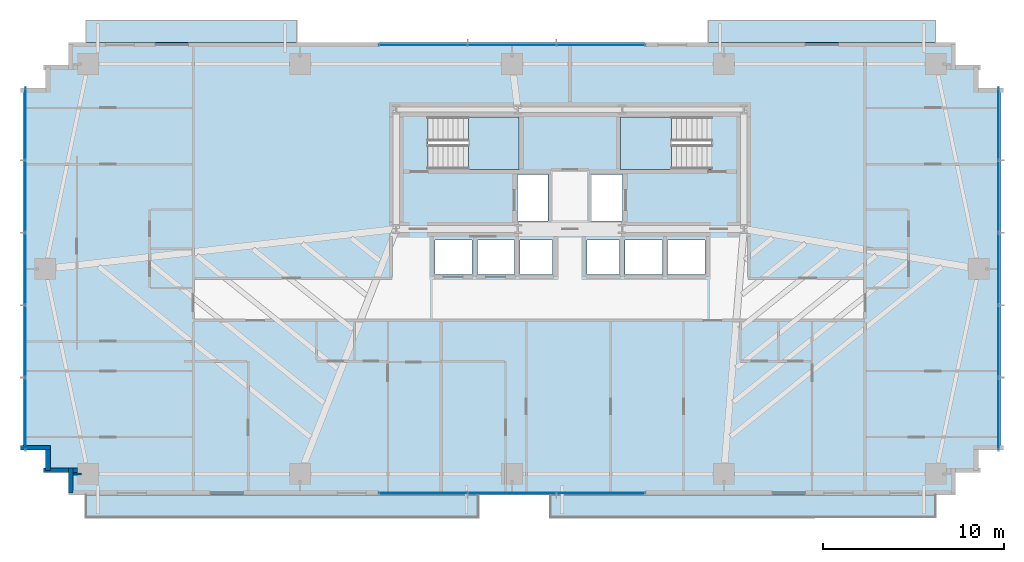
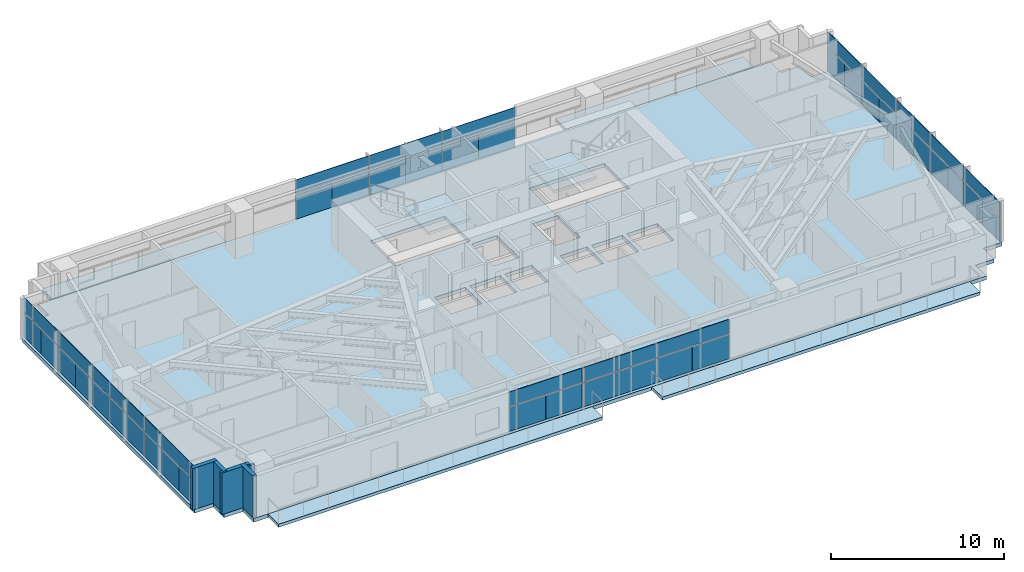
# One storey, part 18 of 25: 48 plates, 7 slabs, 5 walls, 6 elements without a shape of their own.
"""IFC4 building model written with IfcOpenShell, lengths in metres."""

from ifc_helpers import new_model, si_unit, direction, frame, frame_2d, origin, origin_2d, place, context, subcontext, project, spatial, polyline, rectangle, outline, extrude, source, transform, mapped, material, layer, layer_set, type_object, type_shapes, element, aggregate, save


model = new_model("IFC4")

# Units and contexts
model_context = context("Model", 3, precision=1e-05, world=origin(), true_north=direction((0.0, 1.0)))
body_context = subcontext(model_context, "Body", "Model", "MODEL_VIEW")
ifc_project = project(units=[si_unit("LENGTHUNIT", "METRE"), si_unit("AREAUNIT", "SQUARE_METRE"), si_unit("VOLUMEUNIT", "CUBIC_METRE"), si_unit("PLANEANGLEUNIT", "RADIAN"), si_unit("MASSUNIT", "GRAM", prefix="KILO")], contexts=[model_context])

# Site, building, storey
site_placement = place(None, origin())
site = spatial("IfcSite", under=ifc_project, at=site_placement, CompositionType="ELEMENT")
building_placement = place(site_placement, origin())
building = spatial("IfcBuilding", under=site, at=building_placement, Name="Astriad Promenade Condominiums", CompositionType="ELEMENT")
storey_placement = place(building_placement, frame((0.0, 0.0, 26.199951171875)))
storey = spatial("IfcBuildingStorey", under=building, at=storey_placement, Name="L06", CompositionType="ELEMENT", Elevation=26.199951171875)

# Slab
ifc_material_1 = material(Name="Concrete C50/60", Category="concrete")
ifc_layer_1 = layer(ifc_material_1, 0.260009765625)
ifc_layer_set_1 = layer_set([ifc_layer_1], Name="Concrete C50/60")
slab_type_1 = type_object("IfcSlabType", Name="CONCRETE TOWER FLOOR SLAB 260", PredefinedType="FLOOR", material=ifc_layer_set_1)
slab_1_placement = place(storey_placement, frame((0.0, 0.0, -0.260009765625)))
element("IfcSlab", 1, at=slab_1_placement, inside=storey, type_object=slab_type_1, Name="Structural Floor Slab (L06)", PredefinedType="FLOOR", context=body_context, shape_type="SweptSolid", body=[
    extrude(outline(polyline([(8.300048828125, 2.699951171875), (57.300048828125, 2.699951171875), (57.300048828125, 3.949951171875), (58.550048828125, 3.949951171875), (58.550048828125, 5.199951171875), (59.800048828125, 5.199951171875), (59.800048828125, 25.199951171875), (58.550048828125, 25.199951171875), (58.550048828125, 26.449951171875), (57.300048828125, 26.449951171875), (57.300048828125, 27.699951171875), (8.300048828125, 27.699951171875), (8.300048828125, 26.449951171875), (7.050048828125, 26.449951171875), (7.050048828125, 25.199951171875), (5.800048828125, 25.199951171875), (5.800048828125, 5.199951171875), (7.050048828125, 5.199951171875), (7.050048828125, 3.949951171875), (8.300048828125, 3.949951171875), (8.300048828125, 2.699951171875)]), holes=[polyline([(28.175048828125, 20.699951171875), (33.175048828125, 20.699951171875), (33.175048828125, 23.60009765625), (28.175048828125, 23.60009765625), (28.175048828125, 20.699951171875)]), polyline([(38.824951171875, 20.699951171875), (43.824951171875, 20.699951171875), (43.824951171875, 23.60009765625), (38.824951171875, 23.60009765625), (38.824951171875, 20.699951171875)]), polyline([(33.10009765625, 17.85009765625), (34.800048828125, 17.85009765625), (34.800048828125, 20.39990234375), (33.10009765625, 20.39990234375), (33.10009765625, 17.85009765625)]), polyline([(37.199951171875, 17.85009765625), (38.89990234375, 17.85009765625), (38.89990234375, 20.39990234375), (37.199951171875, 20.39990234375), (37.199951171875, 17.85009765625)]), polyline([(28.550048828125, 14.89990234375), (30.60009765625, 14.89990234375), (30.60009765625, 16.800048828125), (28.550048828125, 16.800048828125), (28.550048828125, 14.89990234375)]), polyline([(30.89990234375, 14.89990234375), (32.949951171875, 14.89990234375), (32.949951171875, 16.800048828125), (30.89990234375, 16.800048828125), (30.89990234375, 14.89990234375)]), polyline([(33.25, 14.89990234375), (35.050048828125, 14.89990234375), (35.050048828125, 16.800048828125), (33.25, 16.800048828125), (33.25, 14.89990234375)]), polyline([(36.949951171875, 14.89990234375), (38.75, 14.89990234375), (38.75, 16.800048828125), (36.949951171875, 16.800048828125), (36.949951171875, 14.89990234375)]), polyline([(39.050048828125, 14.89990234375), (41.10009765625, 14.89990234375), (41.10009765625, 16.800048828125), (39.050048828125, 16.800048828125), (39.050048828125, 14.89990234375)]), polyline([(41.39990234375, 14.89990234375), (43.449951171875, 14.89990234375), (43.449951171875, 16.800048828125), (41.39990234375, 16.800048828125), (41.39990234375, 14.89990234375)])]), origin(), (0.0, 0.0, 1.0), 0.260009765625),
])

# Stair, slab
stair_type = type_object("IfcStairType", Name="STR-CORE-1350", PredefinedType="HALF_TURN_STAIR", material=ifc_material_1)
stair_1_placement = place(storey_placement, origin())
stair_1 = element("IfcStair", 2, at=stair_1_placement, inside=storey, type_object=stair_type, Name="L06 Enclosed Core Exit Stair ST-1", PredefinedType="HALF_TURN_STAIR")
ifc_layer_2 = layer(ifc_material_1, 0.219970703125)
ifc_layer_set_2 = layer_set([ifc_layer_2], Name="Concrete C50/60")
slab_type_2 = type_object("IfcSlabType", Name="SLB-LANDING-220", PredefinedType="LANDING", material=ifc_layer_set_2)
slab_2_placement = place(storey_placement, frame((0.0, 0.0, 1.400146484375)))
slab_2 = element("IfcSlab", 3, at=slab_2_placement, type_object=slab_type_2, Name="ST-1 landing 1", PredefinedType="LANDING", context=body_context, shape_type="SweptSolid", body=[
    extrude(outline(polyline([(30.389892578125, 20.699951171875), (33.199951171875, 20.699951171875), (33.199951171875, 23.60009765625), (30.389892578125, 23.60009765625), (30.389892578125, 20.699951171875)])), origin(), (0.0, 0.0, 1.0), 0.199951171875),
])
aggregate(stair_1, [slab_2])

stair_2_placement = place(storey_placement, origin())
stair_2 = element("IfcStair", 4, at=stair_2_placement, inside=storey, type_object=stair_type, Name="L06 Enclosed Core Exit Stair ST-2", PredefinedType="HALF_TURN_STAIR")
slab_3_placement = place(storey_placement, frame((0.0, 0.0, 1.400146484375)))
slab_3 = element("IfcSlab", 5, at=slab_3_placement, type_object=slab_type_2, Name="ST-2 landing 1", PredefinedType="LANDING", context=body_context, shape_type="SweptSolid", body=[
    extrude(outline(polyline([(41.610107421875, 23.60009765625), (38.800048828125, 23.60009765625), (38.800048828125, 20.699951171875), (41.610107421875, 20.699951171875), (41.610107421875, 23.60009765625)])), origin(), (0.0, 0.0, 1.0), 0.199951171875),
])
aggregate(stair_2, [slab_3])

# Slabs
ifc_material_2 = material(Name="Precast concrete C50/60", Category="concrete")
ifc_layer_3 = layer(ifc_material_2, 0.219970703125)
ifc_layer_set_3 = layer_set([ifc_layer_3], Name="Precast concrete C50/60")
slab_type_3 = type_object("IfcSlabType", Name="WHITE PRECAST CONCRETE WAVE BALCONY SLAB 220", PredefinedType="FLOOR", material=ifc_layer_set_3)
slab_4_placement = place(storey_placement, frame((0.0, 0.0, -0.219970703125)))
element("IfcSlab", 6, at=slab_4_placement, inside=storey, type_object=slab_type_3, Name="White Precast Wave Balcony Slab BAL-L06-SW", PredefinedType="FLOOR", context=body_context, shape_type="SweptSolid", body=[
    extrude(outline(polyline([(30.944091796875, 1.47998046875), (9.277099609375, 1.47998046875), (9.277099609375, 2.697998046875), (30.944091796875, 2.697998046875), (30.944091796875, 1.47998046875)])), origin(), (0.0, 0.0, 1.0), 0.219970703125),
])
slab_5_placement = place(storey_placement, frame((0.0, 0.0, -0.219970703125)))
element("IfcSlab", 7, at=slab_5_placement, inside=storey, type_object=slab_type_3, Name="White Precast Wave Balcony Slab BAL-L06-SE", PredefinedType="FLOOR", context=body_context, shape_type="SweptSolid", body=[
    extrude(outline(polyline([(56.18603515625, 1.47998046875), (34.927978515625, 1.47998046875), (34.927978515625, 2.697998046875), (56.18603515625, 2.697998046875), (56.18603515625, 1.47998046875)])), origin(), (0.0, 0.0, 1.0), 0.219970703125),
])
slab_6_placement = place(storey_placement, frame((0.0, 0.0, -0.219970703125)))
element("IfcSlab", 8, at=slab_6_placement, inside=storey, type_object=slab_type_3, Name="White Precast Wave Balcony Slab BAL-L06-NW", PredefinedType="FLOOR", context=body_context, shape_type="SweptSolid", body=[
    extrude(outline(polyline([(9.277099609375, 28.919921875), (20.919921875, 28.919921875), (20.919921875, 27.701904296875), (9.277099609375, 27.701904296875), (9.277099609375, 28.919921875)])), origin(), (0.0, 0.0, 1.0), 0.219970703125),
])
slab_7_placement = place(storey_placement, frame((0.0, 0.0, -0.219970703125)))
element("IfcSlab", 9, at=slab_7_placement, inside=storey, type_object=slab_type_3, Name="White Precast Wave Balcony Slab BAL-L06-NE", PredefinedType="FLOOR", context=body_context, shape_type="SweptSolid", body=[
    extrude(outline(polyline([(43.639892578125, 28.919921875), (56.18603515625, 28.919921875), (56.18603515625, 27.701904296875), (43.639892578125, 27.701904296875), (43.639892578125, 28.919921875)])), origin(), (0.0, 0.0, 1.0), 0.219970703125),
])

# Curtain wall, plates
ifc_material_3 = material(Name="Anodised aluminium Black Dark Glass Unitised", Category="aluminium")
curtain_wall_type = type_object("IfcCurtainWallType", Name="CW-B1-DARK", PredefinedType="USERDEFINED", material=ifc_material_3)
curtain_wall_1_placement = place(storey_placement, origin())
curtain_wall_1 = element("IfcCurtainWall", 10, at=curtain_wall_1_placement, inside=storey, type_object=curtain_wall_type, Name="CW-L06-W", ObjectType="UNITISED_CURTAIN_WALL", PredefinedType="USERDEFINED")
ifc_material_4 = material(Name="Dark Tinted Low-E Laminated Glass", Category="glass")
ifc_layer_4 = layer(ifc_material_4, 0.035888671875)
ifc_layer_set_4 = layer_set([ifc_layer_4], Name="Dark Tinted Low-E Laminated Glass")
plate_type = type_object("IfcPlateType", Name="PNL-DARK-GLASS-36", PredefinedType="CURTAIN_PANEL", material=ifc_layer_set_4)
shared_shape_1 = source(origin(), body_context, "Body", "SweptSolid", [
    extrude(rectangle(XDim=1.988037109375, YDim=0.035888671875, at=origin_2d()), origin(), (0.0, 0.0, 1.0), 1.702880859375),
])
plate_1_placement = place(storey_placement, frame((5.929931640625, 6.199951171875, 0.080078125), z_axis=(0.0, 0.0, 1.0), x_axis=(0.0, 1.0, 0.0)))
plate_1 = element("IfcPlate", 11, at=plate_1_placement, type_object=plate_type, Name="CW-L06-W-PNL-00-VL", PredefinedType="CURTAIN_PANEL", context=body_context, shape_type="MappedRepresentation", body=[
    mapped(shared_shape_1, transform((0.0, 0.0, 0.0), scale=1.0)),
])
plate_2_placement = place(storey_placement, frame((5.929931640625, 8.199951171875, 0.080078125), z_axis=(0.0, 0.0, 1.0), x_axis=(0.0, 1.0, 0.0)))
plate_2 = element("IfcPlate", 12, at=plate_2_placement, type_object=plate_type, Name="CW-L06-W-PNL-00-VR", PredefinedType="CURTAIN_PANEL", context=body_context, shape_type="MappedRepresentation", body=[
    mapped(shared_shape_1, transform((0.0, 0.0, 0.0), scale=1.0)),
])
plate_3_placement = place(storey_placement, frame((5.929931640625, 10.199951171875, 0.080078125), z_axis=(0.0, 0.0, 1.0), x_axis=(0.0, 1.0, 0.0)))
plate_3 = element("IfcPlate", 13, at=plate_3_placement, type_object=plate_type, Name="CW-L06-W-PNL-01-VL", PredefinedType="CURTAIN_PANEL", context=body_context, shape_type="MappedRepresentation", body=[
    mapped(shared_shape_1, transform((0.0, 0.0, 0.0), scale=1.0)),
])
plate_4_placement = place(storey_placement, frame((5.929931640625, 12.199951171875, 0.080078125), z_axis=(0.0, 0.0, 1.0), x_axis=(0.0, 1.0, 0.0)))
plate_4 = element("IfcPlate", 14, at=plate_4_placement, type_object=plate_type, Name="CW-L06-W-PNL-01-VR", PredefinedType="CURTAIN_PANEL", context=body_context, shape_type="MappedRepresentation", body=[
    mapped(shared_shape_1, transform((0.0, 0.0, 0.0), scale=1.0)),
])
plate_5_placement = place(storey_placement, frame((5.929931640625, 14.199951171875, 0.080078125), z_axis=(0.0, 0.0, 1.0), x_axis=(0.0, 1.0, 0.0)))
plate_5 = element("IfcPlate", 15, at=plate_5_placement, type_object=plate_type, Name="CW-L06-W-PNL-02-VL", PredefinedType="CURTAIN_PANEL", context=body_context, shape_type="MappedRepresentation", body=[
    mapped(shared_shape_1, transform((0.0, 0.0, 0.0), scale=1.0)),
])
plate_6_placement = place(storey_placement, frame((5.929931640625, 16.199951171875, 0.080078125), z_axis=(0.0, 0.0, 1.0), x_axis=(0.0, 1.0, 0.0)))
plate_6 = element("IfcPlate", 16, at=plate_6_placement, type_object=plate_type, Name="CW-L06-W-PNL-02-VR", PredefinedType="CURTAIN_PANEL", context=body_context, shape_type="MappedRepresentation", body=[
    mapped(shared_shape_1, transform((0.0, 0.0, 0.0), scale=1.0)),
])
plate_7_placement = place(storey_placement, frame((5.929931640625, 18.199951171875, 0.080078125), z_axis=(0.0, 0.0, 1.0), x_axis=(0.0, 1.0, 0.0)))
plate_7 = element("IfcPlate", 17, at=plate_7_placement, type_object=plate_type, Name="CW-L06-W-PNL-03-VL", PredefinedType="CURTAIN_PANEL", context=body_context, shape_type="MappedRepresentation", body=[
    mapped(shared_shape_1, transform((0.0, 0.0, 0.0), scale=1.0)),
])
plate_8_placement = place(storey_placement, frame((5.929931640625, 20.199951171875, 0.080078125), z_axis=(0.0, 0.0, 1.0), x_axis=(0.0, 1.0, 0.0)))
plate_8 = element("IfcPlate", 18, at=plate_8_placement, type_object=plate_type, Name="CW-L06-W-PNL-03-VR", PredefinedType="CURTAIN_PANEL", context=body_context, shape_type="MappedRepresentation", body=[
    mapped(shared_shape_1, transform((0.0, 0.0, 0.0), scale=1.0)),
])
plate_9_placement = place(storey_placement, frame((5.929931640625, 22.199951171875, 0.080078125), z_axis=(0.0, 0.0, 1.0), x_axis=(0.0, 1.0, 0.0)))
plate_9 = element("IfcPlate", 19, at=plate_9_placement, type_object=plate_type, Name="CW-L06-W-PNL-04-VL", PredefinedType="CURTAIN_PANEL", context=body_context, shape_type="MappedRepresentation", body=[
    mapped(shared_shape_1, transform((0.0, 0.0, 0.0), scale=1.0)),
])
plate_10_placement = place(storey_placement, frame((5.929931640625, 24.199951171875, 0.080078125), z_axis=(0.0, 0.0, 1.0), x_axis=(0.0, 1.0, 0.0)))
plate_10 = element("IfcPlate", 20, at=plate_10_placement, type_object=plate_type, Name="CW-L06-W-PNL-04-VR", PredefinedType="CURTAIN_PANEL", context=body_context, shape_type="MappedRepresentation", body=[
    mapped(shared_shape_1, transform((0.0, 0.0, 0.0), scale=1.0)),
])

curtain_wall_2_placement = place(storey_placement, origin())
curtain_wall_2 = element("IfcCurtainWall", 21, at=curtain_wall_2_placement, inside=storey, type_object=curtain_wall_type, Name="CW-L06-E", ObjectType="UNITISED_CURTAIN_WALL", PredefinedType="USERDEFINED")
plate_11_placement = place(storey_placement, frame((59.669921875, 24.199951171875, 0.080078125), z_axis=(0.0, 0.0, 1.0), x_axis=(0.0, -1.0, 0.0)))
plate_11 = element("IfcPlate", 22, at=plate_11_placement, type_object=plate_type, Name="CW-L06-E-PNL-00-VL", PredefinedType="CURTAIN_PANEL", context=body_context, shape_type="MappedRepresentation", body=[
    mapped(shared_shape_1, transform((0.0, 0.0, 0.0), scale=1.0)),
])
plate_12_placement = place(storey_placement, frame((59.669921875, 22.199951171875, 0.080078125), z_axis=(0.0, 0.0, 1.0), x_axis=(0.0, -1.0, 0.0)))
plate_12 = element("IfcPlate", 23, at=plate_12_placement, type_object=plate_type, Name="CW-L06-E-PNL-00-VR", PredefinedType="CURTAIN_PANEL", context=body_context, shape_type="MappedRepresentation", body=[
    mapped(shared_shape_1, transform((0.0, 0.0, 0.0), scale=1.0)),
])
plate_13_placement = place(storey_placement, frame((59.669921875, 20.199951171875, 0.080078125), z_axis=(0.0, 0.0, 1.0), x_axis=(0.0, -1.0, 0.0)))
plate_13 = element("IfcPlate", 24, at=plate_13_placement, type_object=plate_type, Name="CW-L06-E-PNL-01-VL", PredefinedType="CURTAIN_PANEL", context=body_context, shape_type="MappedRepresentation", body=[
    mapped(shared_shape_1, transform((0.0, 0.0, 0.0), scale=1.0)),
])
plate_14_placement = place(storey_placement, frame((59.669921875, 18.199951171875, 0.080078125), z_axis=(0.0, 0.0, 1.0), x_axis=(0.0, -1.0, 0.0)))
plate_14 = element("IfcPlate", 25, at=plate_14_placement, type_object=plate_type, Name="CW-L06-E-PNL-01-VR", PredefinedType="CURTAIN_PANEL", context=body_context, shape_type="MappedRepresentation", body=[
    mapped(shared_shape_1, transform((0.0, 0.0, 0.0), scale=1.0)),
])
plate_15_placement = place(storey_placement, frame((59.669921875, 16.199951171875, 0.080078125), z_axis=(0.0, 0.0, 1.0), x_axis=(0.0, -1.0, 0.0)))
plate_15 = element("IfcPlate", 26, at=plate_15_placement, type_object=plate_type, Name="CW-L06-E-PNL-02-VL", PredefinedType="CURTAIN_PANEL", context=body_context, shape_type="MappedRepresentation", body=[
    mapped(shared_shape_1, transform((0.0, 0.0, 0.0), scale=1.0)),
])
plate_16_placement = place(storey_placement, frame((59.669921875, 14.199951171875, 0.080078125), z_axis=(0.0, 0.0, 1.0), x_axis=(0.0, -1.0, 0.0)))
plate_16 = element("IfcPlate", 27, at=plate_16_placement, type_object=plate_type, Name="CW-L06-E-PNL-02-VR", PredefinedType="CURTAIN_PANEL", context=body_context, shape_type="MappedRepresentation", body=[
    mapped(shared_shape_1, transform((0.0, 0.0, 0.0), scale=1.0)),
])
plate_17_placement = place(storey_placement, frame((59.669921875, 12.199951171875, 0.080078125), z_axis=(0.0, 0.0, 1.0), x_axis=(0.0, -1.0, 0.0)))
plate_17 = element("IfcPlate", 28, at=plate_17_placement, type_object=plate_type, Name="CW-L06-E-PNL-03-VL", PredefinedType="CURTAIN_PANEL", context=body_context, shape_type="MappedRepresentation", body=[
    mapped(shared_shape_1, transform((0.0, 0.0, 0.0), scale=1.0)),
])
plate_18_placement = place(storey_placement, frame((59.669921875, 10.199951171875, 0.080078125), z_axis=(0.0, 0.0, 1.0), x_axis=(0.0, -1.0, 0.0)))
plate_18 = element("IfcPlate", 29, at=plate_18_placement, type_object=plate_type, Name="CW-L06-E-PNL-03-VR", PredefinedType="CURTAIN_PANEL", context=body_context, shape_type="MappedRepresentation", body=[
    mapped(shared_shape_1, transform((0.0, 0.0, 0.0), scale=1.0)),
])
plate_19_placement = place(storey_placement, frame((59.669921875, 8.199951171875, 0.080078125), z_axis=(0.0, 0.0, 1.0), x_axis=(0.0, -1.0, 0.0)))
plate_19 = element("IfcPlate", 30, at=plate_19_placement, type_object=plate_type, Name="CW-L06-E-PNL-04-VL", PredefinedType="CURTAIN_PANEL", context=body_context, shape_type="MappedRepresentation", body=[
    mapped(shared_shape_1, transform((0.0, 0.0, 0.0), scale=1.0)),
])
plate_20_placement = place(storey_placement, frame((59.669921875, 6.199951171875, 0.080078125), z_axis=(0.0, 0.0, 1.0), x_axis=(0.0, -1.0, 0.0)))
plate_20 = element("IfcPlate", 31, at=plate_20_placement, type_object=plate_type, Name="CW-L06-E-PNL-04-VR", PredefinedType="CURTAIN_PANEL", context=body_context, shape_type="MappedRepresentation", body=[
    mapped(shared_shape_1, transform((0.0, 0.0, 0.0), scale=1.0)),
])

# Plate
shared_shape_2 = source(origin(), body_context, "Body", "SweptSolid", [
    extrude(rectangle(XDim=3.988037109375, YDim=0.035888671875, at=origin_2d()), origin(), (0.0, 0.0, 1.0), 0.997314453125),
])
plate_21_placement = place(storey_placement, frame((5.929931640625, 7.199951171875, 1.86279296875), z_axis=(0.0, 0.0, 1.0), x_axis=(0.0, 1.0, 0.0)))
plate_21 = element("IfcPlate", 32, at=plate_21_placement, type_object=plate_type, Name="CW-L06-W-PNL-00-S", PredefinedType="CURTAIN_PANEL", context=body_context, shape_type="MappedRepresentation", body=[
    mapped(shared_shape_2, transform((0.0, 0.0, 0.0), scale=1.0)),
])

plate_22_placement = place(storey_placement, frame((5.929931640625, 11.199951171875, 1.86279296875), z_axis=(0.0, 0.0, 1.0), x_axis=(0.0, 1.0, 0.0)))
plate_22 = element("IfcPlate", 33, at=plate_22_placement, type_object=plate_type, Name="CW-L06-W-PNL-01-S", PredefinedType="CURTAIN_PANEL", context=body_context, shape_type="MappedRepresentation", body=[
    mapped(shared_shape_2, transform((0.0, 0.0, 0.0), scale=1.0)),
])

plate_23_placement = place(storey_placement, frame((5.929931640625, 15.199951171875, 1.86279296875), z_axis=(0.0, 0.0, 1.0), x_axis=(0.0, 1.0, 0.0)))
plate_23 = element("IfcPlate", 34, at=plate_23_placement, type_object=plate_type, Name="CW-L06-W-PNL-02-S", PredefinedType="CURTAIN_PANEL", context=body_context, shape_type="MappedRepresentation", body=[
    mapped(shared_shape_2, transform((0.0, 0.0, 0.0), scale=1.0)),
])

plate_24_placement = place(storey_placement, frame((5.929931640625, 19.199951171875, 1.86279296875), z_axis=(0.0, 0.0, 1.0), x_axis=(0.0, 1.0, 0.0)))
plate_24 = element("IfcPlate", 35, at=plate_24_placement, type_object=plate_type, Name="CW-L06-W-PNL-03-S", PredefinedType="CURTAIN_PANEL", context=body_context, shape_type="MappedRepresentation", body=[
    mapped(shared_shape_2, transform((0.0, 0.0, 0.0), scale=1.0)),
])

plate_25_placement = place(storey_placement, frame((5.929931640625, 23.199951171875, 1.86279296875), z_axis=(0.0, 0.0, 1.0), x_axis=(0.0, 1.0, 0.0)))
plate_25 = element("IfcPlate", 36, at=plate_25_placement, type_object=plate_type, Name="CW-L06-W-PNL-04-S", PredefinedType="CURTAIN_PANEL", context=body_context, shape_type="MappedRepresentation", body=[
    mapped(shared_shape_2, transform((0.0, 0.0, 0.0), scale=1.0)),
])

aggregate(curtain_wall_1, [plate_1, plate_2, plate_21, plate_3, plate_4, plate_22, plate_5, plate_6, plate_23, plate_7, plate_8, plate_24, plate_9, plate_10, plate_25])

plate_26_placement = place(storey_placement, frame((59.669921875, 23.199951171875, 1.86279296875), z_axis=(0.0, 0.0, 1.0), x_axis=(0.0, -1.0, 0.0)))
plate_26 = element("IfcPlate", 37, at=plate_26_placement, type_object=plate_type, Name="CW-L06-E-PNL-00-S", PredefinedType="CURTAIN_PANEL", context=body_context, shape_type="MappedRepresentation", body=[
    mapped(shared_shape_2, transform((0.0, 0.0, 0.0), scale=1.0)),
])

plate_27_placement = place(storey_placement, frame((59.669921875, 19.199951171875, 1.86279296875), z_axis=(0.0, 0.0, 1.0), x_axis=(0.0, -1.0, 0.0)))
plate_27 = element("IfcPlate", 38, at=plate_27_placement, type_object=plate_type, Name="CW-L06-E-PNL-01-S", PredefinedType="CURTAIN_PANEL", context=body_context, shape_type="MappedRepresentation", body=[
    mapped(shared_shape_2, transform((0.0, 0.0, 0.0), scale=1.0)),
])

plate_28_placement = place(storey_placement, frame((59.669921875, 15.199951171875, 1.86279296875), z_axis=(0.0, 0.0, 1.0), x_axis=(0.0, -1.0, 0.0)))
plate_28 = element("IfcPlate", 39, at=plate_28_placement, type_object=plate_type, Name="CW-L06-E-PNL-02-S", PredefinedType="CURTAIN_PANEL", context=body_context, shape_type="MappedRepresentation", body=[
    mapped(shared_shape_2, transform((0.0, 0.0, 0.0), scale=1.0)),
])

plate_29_placement = place(storey_placement, frame((59.669921875, 11.199951171875, 1.86279296875), z_axis=(0.0, 0.0, 1.0), x_axis=(0.0, -1.0, 0.0)))
plate_29 = element("IfcPlate", 40, at=plate_29_placement, type_object=plate_type, Name="CW-L06-E-PNL-03-S", PredefinedType="CURTAIN_PANEL", context=body_context, shape_type="MappedRepresentation", body=[
    mapped(shared_shape_2, transform((0.0, 0.0, 0.0), scale=1.0)),
])

plate_30_placement = place(storey_placement, frame((59.669921875, 7.199951171875, 1.86279296875), z_axis=(0.0, 0.0, 1.0), x_axis=(0.0, -1.0, 0.0)))
plate_30 = element("IfcPlate", 41, at=plate_30_placement, type_object=plate_type, Name="CW-L06-E-PNL-04-S", PredefinedType="CURTAIN_PANEL", context=body_context, shape_type="MappedRepresentation", body=[
    mapped(shared_shape_2, transform((0.0, 0.0, 0.0), scale=1.0)),
])

aggregate(curtain_wall_2, [plate_11, plate_12, plate_26, plate_13, plate_14, plate_27, plate_15, plate_16, plate_28, plate_17, plate_18, plate_29, plate_19, plate_20, plate_30])

# Curtain wall, plates
curtain_wall_3_placement = place(storey_placement, origin())
curtain_wall_3 = element("IfcCurtainWall", 42, at=curtain_wall_3_placement, inside=storey, type_object=curtain_wall_type, Name="CW-L06-N", ObjectType="UNITISED_CURTAIN_WALL", PredefinedType="USERDEFINED")
shared_shape_3 = source(origin(), body_context, "Body", "SweptSolid", [
    extrude(rectangle(XDim=2.43798828125, YDim=0.035888671875, at=origin_2d()), origin(), (0.0, 0.0, 1.0), 1.702880859375),
])
plate_31_placement = place(storey_placement, frame((26.675048828125, 27.570068359375, 0.080078125), z_axis=(0.0, 0.0, 1.0), x_axis=(1.0, 0.0, 0.0)))
plate_31 = element("IfcPlate", 43, at=plate_31_placement, type_object=plate_type, Name="CW-L06-N-PNL-00-VL", PredefinedType="CURTAIN_PANEL", context=body_context, shape_type="MappedRepresentation", body=[
    mapped(shared_shape_3, transform((0.0, 0.0, 0.0), scale=1.0)),
])
plate_32_placement = place(storey_placement, frame((29.125, 27.570068359375, 0.080078125), z_axis=(0.0, 0.0, 1.0), x_axis=(1.0, 0.0, 0.0)))
plate_32 = element("IfcPlate", 44, at=plate_32_placement, type_object=plate_type, Name="CW-L06-N-PNL-00-VR", PredefinedType="CURTAIN_PANEL", context=body_context, shape_type="MappedRepresentation", body=[
    mapped(shared_shape_3, transform((0.0, 0.0, 0.0), scale=1.0)),
])
plate_33_placement = place(storey_placement, frame((31.574951171875, 27.570068359375, 0.080078125), z_axis=(0.0, 0.0, 1.0), x_axis=(1.0, 0.0, 0.0)))
plate_33 = element("IfcPlate", 45, at=plate_33_placement, type_object=plate_type, Name="CW-L06-N-PNL-01-VL", PredefinedType="CURTAIN_PANEL", context=body_context, shape_type="MappedRepresentation", body=[
    mapped(shared_shape_3, transform((0.0, 0.0, 0.0), scale=1.0)),
])
plate_34_placement = place(storey_placement, frame((34.02490234375, 27.570068359375, 0.080078125), z_axis=(0.0, 0.0, 1.0), x_axis=(1.0, 0.0, 0.0)))
plate_34 = element("IfcPlate", 46, at=plate_34_placement, type_object=plate_type, Name="CW-L06-N-PNL-01-VR", PredefinedType="CURTAIN_PANEL", context=body_context, shape_type="MappedRepresentation", body=[
    mapped(shared_shape_3, transform((0.0, 0.0, 0.0), scale=1.0)),
])
plate_35_placement = place(storey_placement, frame((36.47509765625, 27.570068359375, 0.080078125), z_axis=(0.0, 0.0, 1.0), x_axis=(1.0, 0.0, 0.0)))
plate_35 = element("IfcPlate", 47, at=plate_35_placement, type_object=plate_type, Name="CW-L06-N-PNL-02-VL", PredefinedType="CURTAIN_PANEL", context=body_context, shape_type="MappedRepresentation", body=[
    mapped(shared_shape_3, transform((0.0, 0.0, 0.0), scale=1.0)),
])
plate_36_placement = place(storey_placement, frame((38.925048828125, 27.570068359375, 0.080078125), z_axis=(0.0, 0.0, 1.0), x_axis=(1.0, 0.0, 0.0)))
plate_36 = element("IfcPlate", 48, at=plate_36_placement, type_object=plate_type, Name="CW-L06-N-PNL-02-VR", PredefinedType="CURTAIN_PANEL", context=body_context, shape_type="MappedRepresentation", body=[
    mapped(shared_shape_3, transform((0.0, 0.0, 0.0), scale=1.0)),
])

curtain_wall_4_placement = place(storey_placement, origin())
curtain_wall_4 = element("IfcCurtainWall", 49, at=curtain_wall_4_placement, inside=storey, type_object=curtain_wall_type, Name="CW-L06-S", ObjectType="UNITISED_CURTAIN_WALL", PredefinedType="USERDEFINED")
plate_37_placement = place(storey_placement, frame((38.925048828125, 2.830078125, 0.080078125), z_axis=(0.0, 0.0, 1.0), x_axis=(-1.0, 0.0, 0.0)))
plate_37 = element("IfcPlate", 50, at=plate_37_placement, type_object=plate_type, Name="CW-L06-S-PNL-00-VL", PredefinedType="CURTAIN_PANEL", context=body_context, shape_type="MappedRepresentation", body=[
    mapped(shared_shape_3, transform((0.0, 0.0, 0.0), scale=1.0)),
])
plate_38_placement = place(storey_placement, frame((36.47509765625, 2.830078125, 0.080078125), z_axis=(0.0, 0.0, 1.0), x_axis=(-1.0, 0.0, 0.0)))
plate_38 = element("IfcPlate", 51, at=plate_38_placement, type_object=plate_type, Name="CW-L06-S-PNL-00-VR", PredefinedType="CURTAIN_PANEL", context=body_context, shape_type="MappedRepresentation", body=[
    mapped(shared_shape_3, transform((0.0, 0.0, 0.0), scale=1.0)),
])
plate_39_placement = place(storey_placement, frame((34.02490234375, 2.830078125, 0.080078125), z_axis=(0.0, 0.0, 1.0), x_axis=(-1.0, 0.0, 0.0)))
plate_39 = element("IfcPlate", 52, at=plate_39_placement, type_object=plate_type, Name="CW-L06-S-PNL-01-VL", PredefinedType="CURTAIN_PANEL", context=body_context, shape_type="MappedRepresentation", body=[
    mapped(shared_shape_3, transform((0.0, 0.0, 0.0), scale=1.0)),
])
plate_40_placement = place(storey_placement, frame((31.574951171875, 2.830078125, 0.080078125), z_axis=(0.0, 0.0, 1.0), x_axis=(-1.0, 0.0, 0.0)))
plate_40 = element("IfcPlate", 53, at=plate_40_placement, type_object=plate_type, Name="CW-L06-S-PNL-01-VR", PredefinedType="CURTAIN_PANEL", context=body_context, shape_type="MappedRepresentation", body=[
    mapped(shared_shape_3, transform((0.0, 0.0, 0.0), scale=1.0)),
])
plate_41_placement = place(storey_placement, frame((29.125, 2.830078125, 0.080078125), z_axis=(0.0, 0.0, 1.0), x_axis=(-1.0, 0.0, 0.0)))
plate_41 = element("IfcPlate", 54, at=plate_41_placement, type_object=plate_type, Name="CW-L06-S-PNL-02-VL", PredefinedType="CURTAIN_PANEL", context=body_context, shape_type="MappedRepresentation", body=[
    mapped(shared_shape_3, transform((0.0, 0.0, 0.0), scale=1.0)),
])
plate_42_placement = place(storey_placement, frame((26.675048828125, 2.830078125, 0.080078125), z_axis=(0.0, 0.0, 1.0), x_axis=(-1.0, 0.0, 0.0)))
plate_42 = element("IfcPlate", 55, at=plate_42_placement, type_object=plate_type, Name="CW-L06-S-PNL-02-VR", PredefinedType="CURTAIN_PANEL", context=body_context, shape_type="MappedRepresentation", body=[
    mapped(shared_shape_3, transform((0.0, 0.0, 0.0), scale=1.0)),
])

# Plate
shared_shape_4 = source(origin(), body_context, "Body", "SweptSolid", [
    extrude(rectangle(XDim=4.887939453125, YDim=0.035888671875, at=origin_2d()), origin(), (0.0, 0.0, 1.0), 0.997314453125),
])
type_shapes(plate_type, [shared_shape_1, shared_shape_2, shared_shape_3, shared_shape_4])
plate_43_placement = place(storey_placement, frame((27.89990234375, 27.570068359375, 1.86279296875), z_axis=(0.0, 0.0, 1.0), x_axis=(1.0, 0.0, 0.0)))
plate_43 = element("IfcPlate", 56, at=plate_43_placement, type_object=plate_type, Name="CW-L06-N-PNL-00-S", PredefinedType="CURTAIN_PANEL", context=body_context, shape_type="MappedRepresentation", body=[
    mapped(shared_shape_4, transform((0.0, 0.0, 0.0), scale=1.0)),
])

plate_44_placement = place(storey_placement, frame((32.800048828125, 27.570068359375, 1.86279296875), z_axis=(0.0, 0.0, 1.0), x_axis=(1.0, 0.0, 0.0)))
plate_44 = element("IfcPlate", 57, at=plate_44_placement, type_object=plate_type, Name="CW-L06-N-PNL-01-S", PredefinedType="CURTAIN_PANEL", context=body_context, shape_type="MappedRepresentation", body=[
    mapped(shared_shape_4, transform((0.0, 0.0, 0.0), scale=1.0)),
])

plate_45_placement = place(storey_placement, frame((37.699951171875, 27.570068359375, 1.86279296875), z_axis=(0.0, 0.0, 1.0), x_axis=(1.0, 0.0, 0.0)))
plate_45 = element("IfcPlate", 58, at=plate_45_placement, type_object=plate_type, Name="CW-L06-N-PNL-02-S", PredefinedType="CURTAIN_PANEL", context=body_context, shape_type="MappedRepresentation", body=[
    mapped(shared_shape_4, transform((0.0, 0.0, 0.0), scale=1.0)),
])

aggregate(curtain_wall_3, [plate_31, plate_32, plate_43, plate_33, plate_34, plate_44, plate_35, plate_36, plate_45])

plate_46_placement = place(storey_placement, frame((37.699951171875, 2.830078125, 1.86279296875), z_axis=(0.0, 0.0, 1.0), x_axis=(-1.0, 0.0, 0.0)))
plate_46 = element("IfcPlate", 59, at=plate_46_placement, type_object=plate_type, Name="CW-L06-S-PNL-00-S", PredefinedType="CURTAIN_PANEL", context=body_context, shape_type="MappedRepresentation", body=[
    mapped(shared_shape_4, transform((0.0, 0.0, 0.0), scale=1.0)),
])

plate_47_placement = place(storey_placement, frame((32.800048828125, 2.830078125, 1.86279296875), z_axis=(0.0, 0.0, 1.0), x_axis=(-1.0, 0.0, 0.0)))
plate_47 = element("IfcPlate", 60, at=plate_47_placement, type_object=plate_type, Name="CW-L06-S-PNL-01-S", PredefinedType="CURTAIN_PANEL", context=body_context, shape_type="MappedRepresentation", body=[
    mapped(shared_shape_4, transform((0.0, 0.0, 0.0), scale=1.0)),
])

plate_48_placement = place(storey_placement, frame((27.89990234375, 2.830078125, 1.86279296875), z_axis=(0.0, 0.0, 1.0), x_axis=(-1.0, 0.0, 0.0)))
plate_48 = element("IfcPlate", 61, at=plate_48_placement, type_object=plate_type, Name="CW-L06-S-PNL-02-S", PredefinedType="CURTAIN_PANEL", context=body_context, shape_type="MappedRepresentation", body=[
    mapped(shared_shape_4, transform((0.0, 0.0, 0.0), scale=1.0)),
])

aggregate(curtain_wall_4, [plate_37, plate_38, plate_46, plate_39, plate_40, plate_47, plate_41, plate_42, plate_48])

# Walls
ifc_layer_5 = layer(ifc_material_2, 0.260009765625)
ifc_layer_set_5 = layer_set([ifc_layer_5], Name="Precast concrete C50/60")
wall_type_1 = type_object("IfcWallType", Name="WALL-EXT-TWR-260", PredefinedType="STANDARD", material=ifc_layer_set_5)
wall_1_placement = place(storey_placement, frame((8.798095703125, 4.080078125, 0.0), z_axis=(0.0, 0.0, 1.0), x_axis=(-1.0, 0.0, 0.0)))
element("IfcWall", 62, at=wall_1_placement, inside=storey, type_object=wall_type_1, Name="W-SER-L06-00", PredefinedType="STANDARD", context=body_context, shape_type="SweptSolid", body=[
    extrude(rectangle(XDim=1.878173828125, YDim=0.260009765625, at=frame_2d((0.93896484375, 0.0))), origin(), (0.0, 0.0, 1.0), 2.93994140625),
])
wall_2_placement = place(storey_placement, frame((7.179931640625, 4.06494140625, 0.0), z_axis=(0.0, 0.0, 1.0), x_axis=(0.0, 1.0, 0.0)))
element("IfcWall", 63, at=wall_2_placement, inside=storey, type_object=wall_type_1, Name="W-SER-L06-01", PredefinedType="STANDARD", context=body_context, shape_type="SweptSolid", body=[
    extrude(rectangle(XDim=1.150146484375, YDim=0.260009765625, at=frame_2d((0.5751953125, 0.0))), origin(), (0.0, 0.0, 1.0), 2.93994140625),
])
wall_3_placement = place(storey_placement, frame((7.31005859375, 5.330078125, 0.0), z_axis=(0.0, 0.0, 1.0), x_axis=(-1.0, 0.0, 0.0)))
element("IfcWall", 64, at=wall_3_placement, inside=storey, type_object=wall_type_1, Name="W-SER-L06-02", PredefinedType="STANDARD", context=body_context, shape_type="SweptSolid", body=[
    extrude(rectangle(XDim=1.64013671875, YDim=0.260009765625, at=frame_2d((0.820068359375, 0.0))), origin(), (0.0, 0.0, 1.0), 2.93994140625),
])
wall_4_placement = place(storey_placement, frame((8.429931640625, 2.81494140625, 0.0), z_axis=(0.0, 0.0, 1.0), x_axis=(0.0, 1.0, 0.0)))
element("IfcWall", 65, at=wall_4_placement, inside=storey, type_object=wall_type_1, Name="W-SER-L06-19", PredefinedType="STANDARD", context=body_context, shape_type="SweptSolid", body=[
    extrude(rectangle(XDim=1.39501953125, YDim=0.260009765625, at=frame_2d((0.697509765625, 0.0))), origin(), (0.0, 0.0, 1.0), 2.93994140625),
])
ifc_material_5 = material(Name="Acoustic Metal-Stud Gypsum Partition")
ifc_layer_6 = layer(ifc_material_5, 0.1201171875)
ifc_layer_set_6 = layer_set([ifc_layer_6], Name="Acoustic Metal-Stud Gypsum Partition")
wall_type_2 = type_object("IfcWallType", Name="WALL-PART-120", PredefinedType="PARTITIONING", material=ifc_layer_set_6)
wall_5_placement = place(storey_placement, frame((9.02001953125, 3.8798828125, 0.0), z_axis=(0.0, 0.0, 1.0), x_axis=(-1.0, 0.0, 0.0)))
element("IfcWall", 66, at=wall_5_placement, inside=storey, type_object=wall_type_2, Name="PT-PIL-L06-PC01-8", PredefinedType="PARTITIONING", context=body_context, shape_type="SweptSolid", body=[
    extrude(rectangle(XDim=0.4580078125, YDim=0.1201171875, at=frame_2d((0.22900390625, 0.0))), origin(), (0.0, 0.0, 1.0), 2.93994140625),
])

save(model, "model.ifc")
